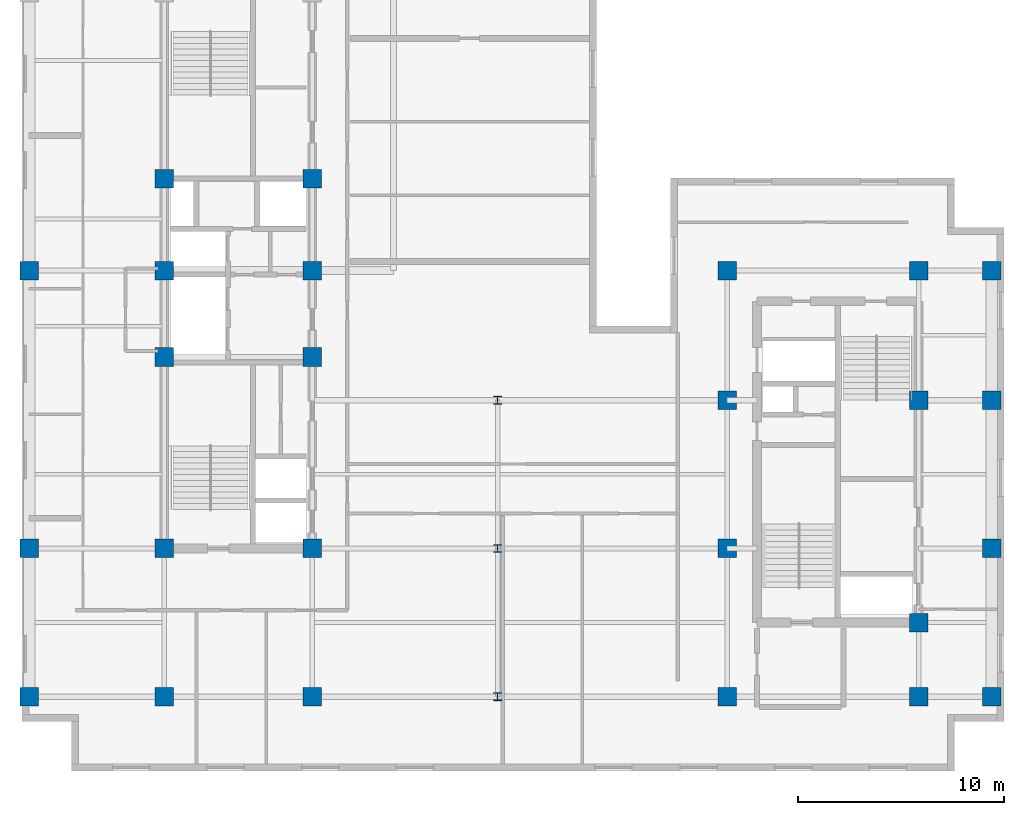
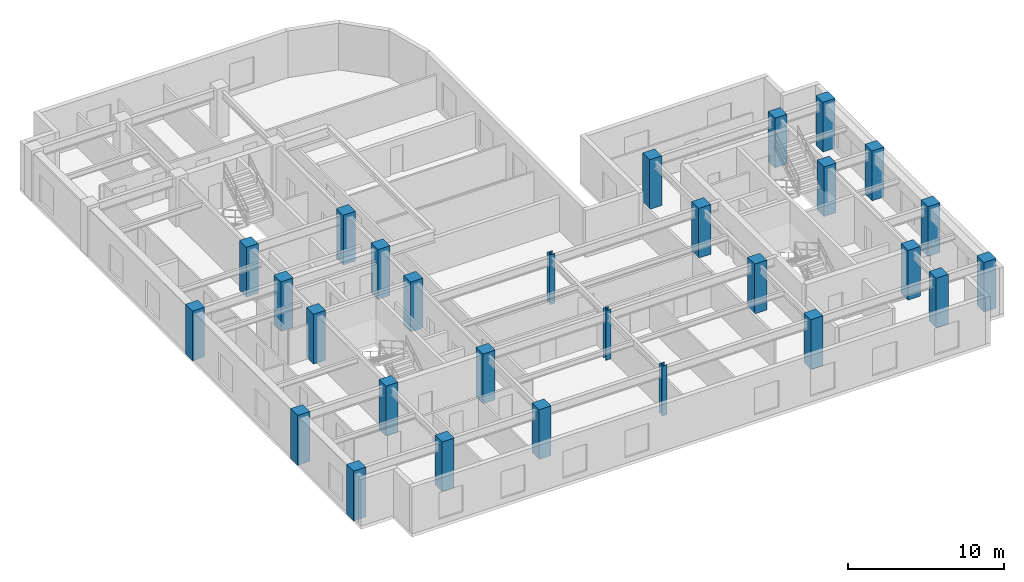
# One storey, part 1 of 10: 28 columns.
"""IFC4 building model written with IfcOpenShell, lengths in metres."""

from ifc_helpers import new_model, entity, si_unit, converted_unit, direction, frame, origin_with_axes, origin_2d_with_axis, place, context, subcontext, project, spatial, rectangle, i_section, extrude, material, material_profile, profile_set, type_object, element, save


model = new_model("IFC4")

# Units and contexts
model_context = context("Model", 3, precision=1e-05, world=origin_with_axes(), true_north=direction((0.0, 1.0)))
body_context = subcontext(model_context, "Body", "Model", "MODEL_VIEW")
ifc_project = project(units=[si_unit("LENGTHUNIT", "METRE"), si_unit("AREAUNIT", "SQUARE_METRE"), si_unit("VOLUMEUNIT", "CUBIC_METRE"), converted_unit("PLANEANGLEUNIT", "DEGREE", entity("IfcPlaneAngleMeasure", 0.017453292519943295), si_unit("PLANEANGLEUNIT", "RADIAN"), dimensions=[0, 0, 0, 0, 0, 0, 0]), si_unit("MASSUNIT", "GRAM", prefix="KILO"), si_unit("THERMODYNAMICTEMPERATUREUNIT", "KELVIN")], contexts=[model_context])

# Site, building, storey
site_placement = place(None, origin_with_axes())
site = spatial("IfcSite", under=ifc_project, at=site_placement, CompositionType="ELEMENT")
building_placement = place(site_placement, origin_with_axes())
building = spatial("IfcBuilding", under=site, at=building_placement, Name="Varnlund Millrace Tower", CompositionType="ELEMENT")
storey_placement = place(building_placement, frame((0.0, 0.0, 236.4), z_axis=(0.0, 0.0, 1.0), x_axis=(1.0, 0.0, 0.0)))
storey = spatial("IfcBuildingStorey", under=building, at=storey_placement, Name="L58", CompositionType="ELEMENT", Elevation=236.4)

# Columns
ifc_material_1 = material(Name="Steel ASTM A992 Grade 50", Category="steel")
ifc_material_profile_1 = material_profile(ifc_material_1, i_section(OverallWidth=0.394, OverallDepth=0.375, WebThickness=0.0173, FlangeThickness=0.0277, FilletRadius=0.02, at=origin_2d_with_axis()), Name="Steel ASTM A992 Grade 50")
ifc_profile_set_1 = profile_set([ifc_material_profile_1], Name="Steel ASTM A992 Grade 50")
column_type_1 = type_object("IfcColumnType", Name="Type-Col-Int-W14X145", PredefinedType="COLUMN", material=ifc_profile_set_1)
for number, where, z_axis, x_axis, name in (
    (1, (27.6, 3.6, 0.0), (0.0, 0.0, 1.0), (1.0, 0.0, 0.0), "Type-Col-Int-W14X145"),
    (2, (27.6, 10.8, 0.0), (0.0, 0.0, 1.0), (1.0, 0.0, 0.0), "Type-Col-Int-W14X145"),
    (3, (27.6, 18.0, 0.0), (0.0, 0.0, 1.0), (1.0, 0.0, 0.0), "Type-Col-Int-W14X145"),
):
    element("IfcColumn", number, at=place(storey_placement, frame(where, z_axis=z_axis, x_axis=x_axis)), inside=storey, type_object=column_type_1, Name=name, PredefinedType="COLUMN", context=body_context, shape_type="SweptSolid", body=[
        extrude(i_section(OverallWidth=0.394, OverallDepth=0.375, WebThickness=0.0173, FlangeThickness=0.0277, FilletRadius=0.02, at=origin_2d_with_axis()), origin_with_axes(), (0.0, 0.0, 1.0), 3.9),
    ])
ifc_material_2 = material(Name="Concrete C70/85", Category="concrete")
ifc_material_profile_2 = material_profile(ifc_material_2, rectangle(XDim=0.9, YDim=0.9, at=origin_2d_with_axis()), Name="Concrete C70/85")
ifc_profile_set_2 = profile_set([ifc_material_profile_2], Name="Concrete C70/85")
column_type_2 = type_object("IfcColumnType", Name="Type-Col-RC900-C70", PredefinedType="COLUMN", material=ifc_profile_set_2)
for number, where, z_axis, x_axis, name in (
    (4, (11.4, 3.6, 0.0), (0.0, 0.0, 1.0), (1.0, 0.0, 0.0), "Type-Col-RC900-C70"),
    (5, (11.4, 10.8, 0.0), (0.0, 0.0, 1.0), (1.0, 0.0, 0.0), "Type-Col-RC900-C70"),
    (6, (11.4, 20.1, 0.0), (0.0, 0.0, 1.0), (1.0, 0.0, 0.0), "Type-Col-RC900-C70"),
    (7, (11.4, 24.3, 0.0), (0.0, 0.0, 1.0), (1.0, 0.0, 0.0), "Type-Col-RC900-C70"),
    (8, (11.4, 28.75, 0.0), (0.0, 0.0, 1.0), (1.0, 0.0, 0.0), "Type-Col-RC900-C70"),
    (9, (18.6, 3.6, 0.0), (0.0, 0.0, 1.0), (1.0, 0.0, 0.0), "Type-Col-RC900-C70"),
    (10, (18.6, 10.8, 0.0), (0.0, 0.0, 1.0), (1.0, 0.0, 0.0), "Type-Col-RC900-C70"),
    (11, (18.6, 20.1, 0.0), (0.0, 0.0, 1.0), (1.0, 0.0, 0.0), "Type-Col-RC900-C70"),
    (12, (18.6, 24.3, 0.0), (0.0, 0.0, 1.0), (1.0, 0.0, 0.0), "Type-Col-RC900-C70"),
    (13, (18.6, 28.75, 0.0), (0.0, 0.0, 1.0), (1.0, 0.0, 0.0), "Type-Col-RC900-C70"),
    (14, (4.85, 3.6, 0.0), (0.0, 0.0, 1.0), (1.0, 0.0, 0.0), "Type-Col-RC900-C70"),
    (15, (4.85, 10.8, 0.0), (0.0, 0.0, 1.0), (1.0, 0.0, 0.0), "Type-Col-RC900-C70"),
    (16, (4.85, 24.3, 0.0), (0.0, 0.0, 1.0), (1.0, 0.0, 0.0), "Type-Col-RC900-C70"),
    (17, (38.75, 3.6, 0.0), (0.0, 0.0, 1.0), (1.0, 0.0, 0.0), "Type-Col-RC900-C70"),
    (18, (38.75, 10.8, 0.0), (0.0, 0.0, 1.0), (1.0, 0.0, 0.0), "Type-Col-RC900-C70"),
    (19, (38.75, 18.0, 0.0), (0.0, 0.0, 1.0), (1.0, 0.0, 0.0), "Type-Col-RC900-C70"),
    (20, (38.75, 24.3, 0.0), (0.0, 0.0, 1.0), (1.0, 0.0, 0.0), "Type-Col-RC900-C70"),
    (21, (48.05, 3.6, 0.0), (0.0, 0.0, 1.0), (1.0, 0.0, 0.0), "Type-Col-RC900-C70"),
    (22, (48.05, 7.2, 0.0), (0.0, 0.0, 1.0), (1.0, 0.0, 0.0), "Type-Col-RC900-C70"),
    (23, (48.05, 18.0, 0.0), (0.0, 0.0, 1.0), (1.0, 0.0, 0.0), "Type-Col-RC900-C70"),
    (24, (48.05, 24.3, 0.0), (0.0, 0.0, 1.0), (1.0, 0.0, 0.0), "Type-Col-RC900-C70"),
    (25, (51.6, 3.6, 0.0), (0.0, 0.0, 1.0), (1.0, 0.0, 0.0), "Type-Col-RC900-C70"),
    (26, (51.6, 10.8, 0.0), (0.0, 0.0, 1.0), (1.0, 0.0, 0.0), "Type-Col-RC900-C70"),
    (27, (51.6, 18.0, 0.0), (0.0, 0.0, 1.0), (1.0, 0.0, 0.0), "Type-Col-RC900-C70"),
    (28, (51.6, 24.3, 0.0), (0.0, 0.0, 1.0), (1.0, 0.0, 0.0), "Type-Col-RC900-C70"),
):
    element("IfcColumn", number, at=place(storey_placement, frame(where, z_axis=z_axis, x_axis=x_axis)), inside=storey, type_object=column_type_2, Name=name, PredefinedType="COLUMN", context=body_context, shape_type="SweptSolid", body=[
        extrude(rectangle(XDim=0.9, YDim=0.9, at=origin_2d_with_axis()), origin_with_axes(), (0.0, 0.0, 1.0), 3.9),
    ])

save(model, "model.ifc")
